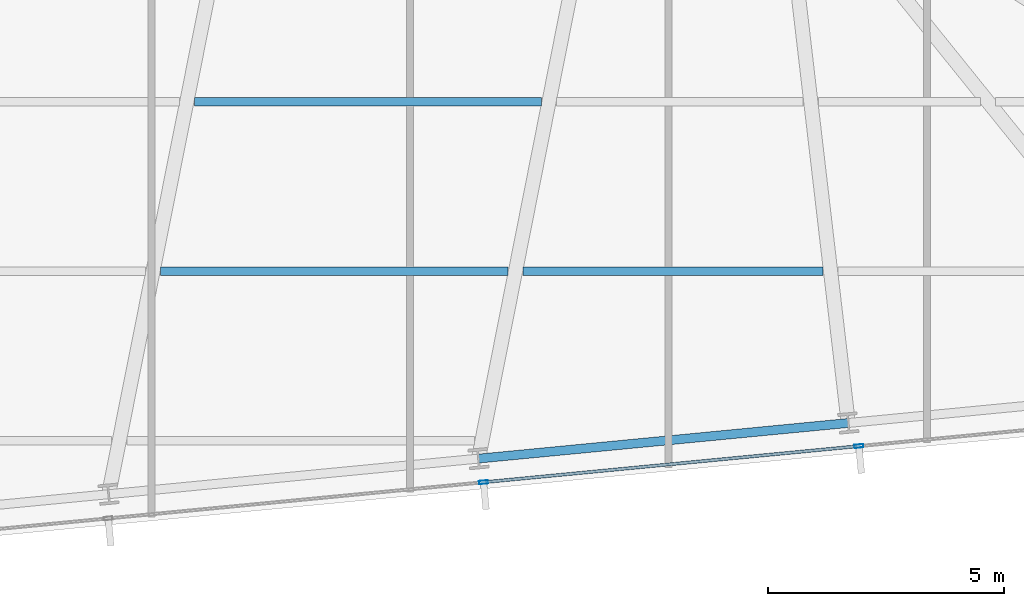
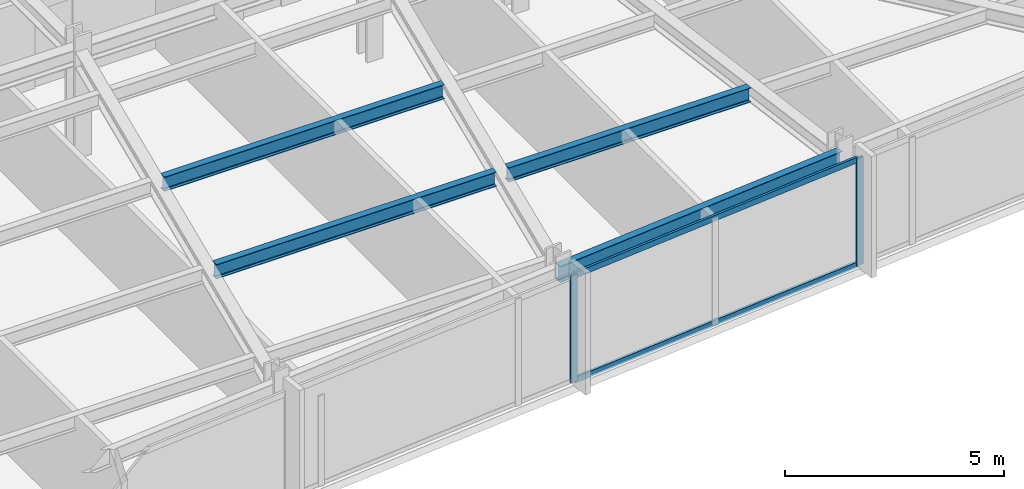
# One storey, part 10 of 32: 4 beams, 4 members, 1 element without a shape of its own.
"""IFC4 building model written with IfcOpenShell, lengths in metres."""

from ifc_helpers import new_model, si_unit, direction, frame, origin, origin_2d, place, context, subcontext, project, spatial, hollow_rectangle, i_section, extrude, material, material_profile, profile_set, type_object, element, aggregate, save


model = new_model("IFC4")

# Units and contexts
model_context = context("Model", 3, precision=1e-05, world=origin(), true_north=direction((0.0, 1.0)))
body_context = subcontext(model_context, "Body", "Model", "MODEL_VIEW")
ifc_project = project(units=[si_unit("LENGTHUNIT", "METRE"), si_unit("AREAUNIT", "SQUARE_METRE"), si_unit("VOLUMEUNIT", "CUBIC_METRE"), si_unit("PLANEANGLEUNIT", "RADIAN"), si_unit("MASSUNIT", "GRAM", prefix="KILO")], contexts=[model_context])

# Site, building, storey
site_placement = place(None, origin())
site = spatial("IfcSite", under=ifc_project, at=site_placement, CompositionType="ELEMENT")
building_placement = place(site_placement, origin())
building = spatial("IfcBuilding", under=site, at=building_placement, Name="Yelkora Congress Tower", CompositionType="ELEMENT")
storey_placement = place(building_placement, frame((0.0, 0.0, 133.89990234375)))
storey = spatial("IfcBuildingStorey", under=building, at=storey_placement, Name="L36", CompositionType="ELEMENT", Elevation=133.89990234375)

# Beams
ifc_material_1 = material(Name="Steel S355J2", Category="steel")
ifc_material_profile_1 = material_profile(ifc_material_1, i_section(OverallWidth=0.179931640625, OverallDepth=0.39990234375, WebThickness=0.008544921875, FlangeThickness=0.013427734375, FilletRadius=0.02099609375, at=origin_2d()), Name="IPE 400")
ifc_profile_set_1 = profile_set([ifc_material_profile_1], Name="Steel S355J2")
beam_type_1 = type_object("IfcBeamType", Name="BM-JOIST-IPE400", PredefinedType="JOIST", material=ifc_profile_set_1)
beam_1_placement = place(storey_placement, frame((44.436767578125, 16.144287109375, 2.780029296875), z_axis=(1.0, 0.0, 0.0), x_axis=(0.0, 1.0, 0.0)))
element("IfcBeam", 1, at=beam_1_placement, inside=storey, type_object=beam_type_1, Name="L36 Composite Floor Joist 7", PredefinedType="JOIST", context=body_context, shape_type="SweptSolid", body=[
    extrude(i_section(OverallWidth=0.179931640625, OverallDepth=0.39990234375, WebThickness=0.008544921875, FlangeThickness=0.013427734375, FilletRadius=0.02099609375, at=origin_2d()), origin(), (0.0, 0.0, 1.0), 7.373046875),
])
beam_2_placement = place(storey_placement, frame((52.1298828125, 16.144287109375, 2.780029296875), z_axis=(1.0, 0.0, 0.0), x_axis=(0.0, 1.0, 0.0)))
element("IfcBeam", 2, at=beam_2_placement, inside=storey, type_object=beam_type_1, Name="L36 Composite Floor Joist 8", PredefinedType="JOIST", context=body_context, shape_type="SweptSolid", body=[
    extrude(i_section(OverallWidth=0.179931640625, OverallDepth=0.39990234375, WebThickness=0.008544921875, FlangeThickness=0.013427734375, FilletRadius=0.02099609375, at=origin_2d()), origin(), (0.0, 0.0, 1.0), 6.3671875),
])
beam_3_placement = place(storey_placement, frame((45.153564453125, 19.744384765625, 2.780029296875), z_axis=(1.0, 0.0, 0.0), x_axis=(0.0, 1.0, 0.0)))
element("IfcBeam", 3, at=beam_3_placement, inside=storey, type_object=beam_type_1, Name="L36 Composite Floor Joist 14", PredefinedType="JOIST", context=body_context, shape_type="SweptSolid", body=[
    extrude(i_section(OverallWidth=0.179931640625, OverallDepth=0.39990234375, WebThickness=0.008544921875, FlangeThickness=0.013427734375, FilletRadius=0.02099609375, at=origin_2d()), origin(), (0.0, 0.0, 1.0), 7.367919921875),
])
ifc_material_profile_2 = material_profile(ifc_material_1, i_section(OverallWidth=0.18994140625, OverallDepth=0.449951171875, WebThickness=0.009521484375, FlangeThickness=0.0146484375, FilletRadius=0.02099609375, at=origin_2d()), Name="IPE 450")
ifc_profile_set_2 = profile_set([ifc_material_profile_2], Name="Steel S355J2")
beam_type_2 = type_object("IfcBeamType", Name="BM-SPAN-IPE450", PredefinedType="SPANDREL", material=ifc_profile_set_2)
beam_4_placement = place(storey_placement, frame((51.18359375, 12.16748046875, 2.755126953125), z_axis=(0.995395860104, 0.095849265454, 0.0), x_axis=(-0.095849265454, 0.995395860104, 0.0)))
element("IfcBeam", 4, at=beam_4_placement, inside=storey, type_object=beam_type_2, Name="L36 Perimeter Beam 7", PredefinedType="SPANDREL", context=body_context, shape_type="SweptSolid", body=[
    extrude(i_section(OverallWidth=0.18994140625, OverallDepth=0.449951171875, WebThickness=0.009521484375, FlangeThickness=0.0146484375, FilletRadius=0.02099609375, at=origin_2d()), origin(), (0.0, 0.0, 1.0), 7.885986328125),
])

# Curtain wall, members
ifc_material_2 = material(Name="Anodised aluminium and insulated glass", Category="aluminium")
curtain_wall_type = type_object("IfcCurtainWallType", Name="CW-SYS-B2", PredefinedType="NOTDEFINED", material=ifc_material_2)
curtain_wall_placement = place(storey_placement, origin())
curtain_wall = element("IfcCurtainWall", 5, at=curtain_wall_placement, inside=storey, type_object=curtain_wall_type, Name="L36 Unitised Curtain Wall 20", PredefinedType="NOTDEFINED")
ifc_material_3 = material(Name="Anodised aluminium 6063-T6", Category="aluminium")
ifc_material_profile_3 = material_profile(ifc_material_3, hollow_rectangle(XDim=0.070068359375, YDim=0.18994140625, WallThickness=0.00390625, at=origin_2d()), Name="ALU 70x190x4")
ifc_profile_set_3 = profile_set([ifc_material_profile_3], Name="Anodised aluminium 6063-T6")
member_type_1 = type_object("IfcMemberType", Name="MEM-ML-B2", PredefinedType="MULLION", material=ifc_profile_set_3)
member_1_placement = place(storey_placement, frame((59.2568359375, 12.4326171875, 0.0), z_axis=(0.0, 0.0, 1.0), x_axis=(0.095844345816, -0.995396333816, 0.0)))
member_1 = element("IfcMember", 6, at=member_1_placement, type_object=member_type_1, Name="CW-B2 mullion 3", PredefinedType="MULLION", context=body_context, shape_type="SweptSolid", body=[
    extrude(hollow_rectangle(XDim=0.070068359375, YDim=0.18994140625, WallThickness=0.00390625, at=origin_2d()), origin(), (0.0, 0.0, 1.0), 2.97998046875),
])
member_2_placement = place(storey_placement, frame((51.290771484375, 11.66552734375, 0.0), z_axis=(0.0, 0.0, 1.0), x_axis=(0.095844345816, -0.995396333816, 0.0)))
member_2 = element("IfcMember", 7, at=member_2_placement, type_object=member_type_1, Name="CW-B2 mullion 4", PredefinedType="MULLION", context=body_context, shape_type="SweptSolid", body=[
    extrude(hollow_rectangle(XDim=0.070068359375, YDim=0.18994140625, WallThickness=0.00390625, at=origin_2d()), origin(), (0.0, 0.0, 1.0), 2.97998046875),
])
ifc_material_profile_4 = material_profile(ifc_material_3, hollow_rectangle(XDim=0.06494140625, YDim=0.159912109375, WallThickness=0.00390625, at=origin_2d()), Name="ALU 65x160x4")
ifc_profile_set_4 = profile_set([ifc_material_profile_4], Name="Anodised aluminium 6063-T6")
member_type_2 = type_object("IfcMemberType", Name="MEM-TR-B2", PredefinedType="USERDEFINED", material=ifc_profile_set_4)
member_3_placement = place(storey_placement, frame((59.221923828125, 12.42919921875, 0.03271484375), z_axis=(-0.995397010735, -0.095837315383, 0.0), x_axis=(0.095837315383, -0.995397010735, 0.0)))
member_3 = element("IfcMember", 8, at=member_3_placement, type_object=member_type_2, Name="CW-B2 transom 3.1", ObjectType="TRANSOM", PredefinedType="USERDEFINED", context=body_context, shape_type="SweptSolid", body=[
    extrude(hollow_rectangle(XDim=0.06494140625, YDim=0.159912109375, WallThickness=0.00390625, at=origin_2d()), origin(), (0.0, 0.0, 1.0), 7.932861328125),
])
member_4_placement = place(storey_placement, frame((59.221923828125, 12.42919921875, 2.947509765625), z_axis=(-0.995397010735, -0.095837315383, 0.0), x_axis=(0.095837315383, -0.995397010735, 0.0)))
member_4 = element("IfcMember", 9, at=member_4_placement, type_object=member_type_2, Name="CW-B2 transom 3.2", ObjectType="TRANSOM", PredefinedType="USERDEFINED", context=body_context, shape_type="SweptSolid", body=[
    extrude(hollow_rectangle(XDim=0.06494140625, YDim=0.159912109375, WallThickness=0.00390625, at=origin_2d()), origin(), (0.0, 0.0, 1.0), 7.932861328125),
])
aggregate(curtain_wall, [member_1, member_2, member_3, member_4])

save(model, "model.ifc")
